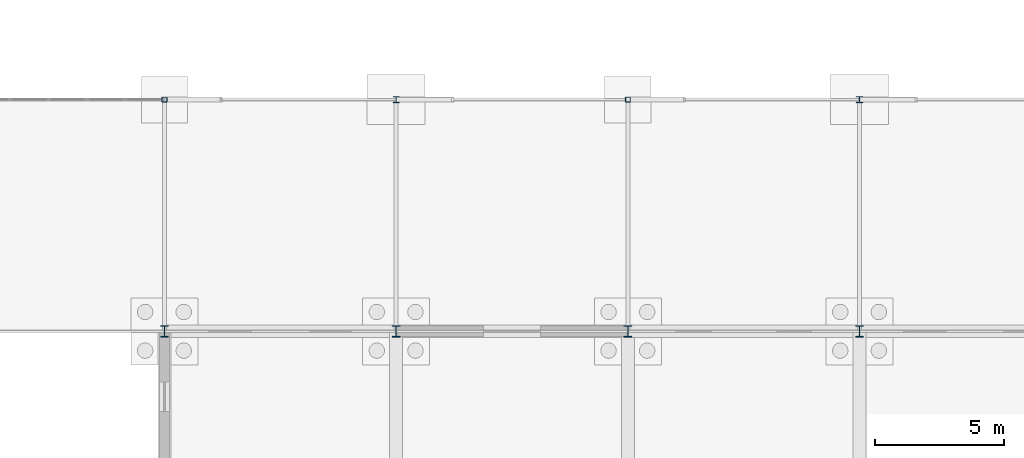
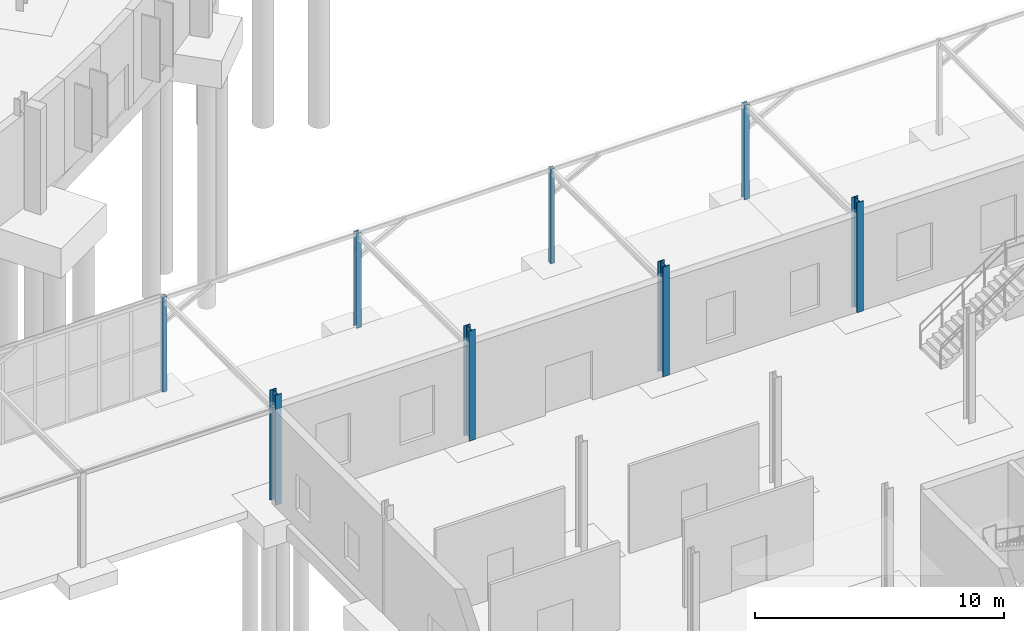
# One storey, part 33 of 118: 8 columns.
"""IFC4 building model written with IfcOpenShell, lengths in metres."""

from ifc_helpers import new_model, si_unit, direction, frame, origin, origin_2d, place, context, subcontext, project, spatial, hollow_rectangle, i_section, extrude, material, material_profile, profile_set, type_object, element, save


model = new_model("IFC4")

# Units and contexts
model_context = context("Model", 3, precision=1e-05, world=origin(), true_north=direction((0.0, 1.0)))
body_context = subcontext(model_context, "Body", "Model", "MODEL_VIEW")
ifc_project = project(units=[si_unit("LENGTHUNIT", "METRE"), si_unit("AREAUNIT", "SQUARE_METRE"), si_unit("VOLUMEUNIT", "CUBIC_METRE"), si_unit("PLANEANGLEUNIT", "RADIAN"), si_unit("MASSUNIT", "GRAM", prefix="KILO")], contexts=[model_context])

# Site, building, storey
site_placement = place(None, origin())
site = spatial("IfcSite", under=ifc_project, at=site_placement, CompositionType="ELEMENT")
building_placement = place(site_placement, origin())
building = spatial("IfcBuilding", under=site, at=building_placement, Name="Kildeholm Park Wholesale Market", CompositionType="ELEMENT")
storey_placement = place(building_placement, origin())
storey = spatial("IfcBuildingStorey", under=building, at=storey_placement, Name="L00", CompositionType="ELEMENT", Elevation=0.0)

# Columns
ifc_material = material(Name="Steel S355", Category="steel")
ifc_material_profile_1 = material_profile(ifc_material, i_section(OverallWidth=0.239990234375, OverallDepth=0.239990234375, WebThickness=0.010009765625, FlangeThickness=0.01708984375, FilletRadius=0.02099609375, at=origin_2d()), Name="HEB 240")
ifc_profile_set_1 = profile_set([ifc_material_profile_1], Name="Steel S355")
column_type_1 = type_object("IfcColumnType", Name="Column C-S01 HEB 240", PredefinedType="COLUMN", material=ifc_profile_set_1)
for number, where, z_axis, x_axis, name in (
    (1, (135.0, 36.0, 0.0), (0.0, 0.0, 1.0), (1.0, 0.0, 0.0), "Public passage column 135-036 COL-0897"),
    (2, (153.0, 36.0, 0.0), (0.0, 0.0, 1.0), (1.0, 0.0, 0.0), "Public passage column 153-036 COL-0899"),
):
    element("IfcColumn", number, at=place(storey_placement, frame(where, z_axis=z_axis, x_axis=x_axis)), inside=storey, type_object=column_type_1, Name=name, PredefinedType="COLUMN", context=body_context, shape_type="SweptSolid", body=[
        extrude(i_section(OverallWidth=0.239990234375, OverallDepth=0.239990234375, WebThickness=0.010009765625, FlangeThickness=0.01708984375, FilletRadius=0.02099609375, at=origin_2d()), origin(), (0.0, 0.0, 1.0), 4.639892578125),
    ])
ifc_material_profile_2 = material_profile(ifc_material, i_section(OverallWidth=0.300048828125, OverallDepth=0.449951171875, WebThickness=0.013916015625, FlangeThickness=0.02587890625, FilletRadius=0.027099609375, at=origin_2d()), Name="HEB 450")
ifc_profile_set_2 = profile_set([ifc_material_profile_2], Name="Steel S355")
column_type_2 = type_object("IfcColumnType", Name="Column C-S06 HEB 450", PredefinedType="COLUMN", material=ifc_profile_set_2)
for number, where, z_axis, x_axis, name in (
    (3, (126.0, 27.0, 0.0), (0.0, 0.0, 1.0), (1.0, 0.0, 0.0), "Column V5E-126-027 L00 COL-0769"),
    (4, (135.0, 27.0, 0.0), (0.0, 0.0, 1.0), (1.0, 0.0, 0.0), "Column V5E-135-027 L00 COL-0783"),
    (5, (144.0, 27.0, 0.0), (0.0, 0.0, 1.0), (1.0, 0.0, 0.0), "Column V5E-144-027 L00 COL-0797"),
    (6, (153.0, 27.0, 0.0), (0.0, 0.0, 1.0), (1.0, 0.0, 0.0), "Column V5E-153-027 L00 COL-0811"),
):
    element("IfcColumn", number, at=place(storey_placement, frame(where, z_axis=z_axis, x_axis=x_axis)), inside=storey, type_object=column_type_2, Name=name, PredefinedType="COLUMN", context=body_context, shape_type="SweptSolid", body=[
        extrude(i_section(OverallWidth=0.300048828125, OverallDepth=0.449951171875, WebThickness=0.013916015625, FlangeThickness=0.02587890625, FilletRadius=0.027099609375, at=origin_2d()), origin(), (0.0, 0.0, 1.0), 5.39990234375),
    ])
ifc_material_profile_3 = material_profile(ifc_material, hollow_rectangle(XDim=0.199951171875, YDim=0.199951171875, WallThickness=0.012451171875, InnerFilletRadius=0.012451171875, OuterFilletRadius=0.02490234375, at=origin_2d()), Name="SHS 200x200x12.5")
ifc_profile_set_3 = profile_set([ifc_material_profile_3], Name="Steel S355")
column_type_3 = type_object("IfcColumnType", Name="Column C-S12 SHS 200x200x12.5", PredefinedType="COLUMN", material=ifc_profile_set_3)
for number, where, z_axis, x_axis, name in (
    (7, (126.0, 36.0, 0.0), (0.0, 0.0, 1.0), (1.0, 0.0, 0.0), "Public passage column 126-036 COL-0896"),
    (8, (144.0, 36.0, 0.0), (0.0, 0.0, 1.0), (1.0, 0.0, 0.0), "Public passage column 144-036 COL-0898"),
):
    element("IfcColumn", number, at=place(storey_placement, frame(where, z_axis=z_axis, x_axis=x_axis)), inside=storey, type_object=column_type_3, Name=name, PredefinedType="COLUMN", context=body_context, shape_type="SweptSolid", body=[
        extrude(hollow_rectangle(XDim=0.199951171875, YDim=0.199951171875, WallThickness=0.012451171875, InnerFilletRadius=0.012451171875, OuterFilletRadius=0.02490234375, at=origin_2d()), origin(), (0.0, 0.0, 1.0), 4.639892578125),
    ])

save(model, "model.ifc")
